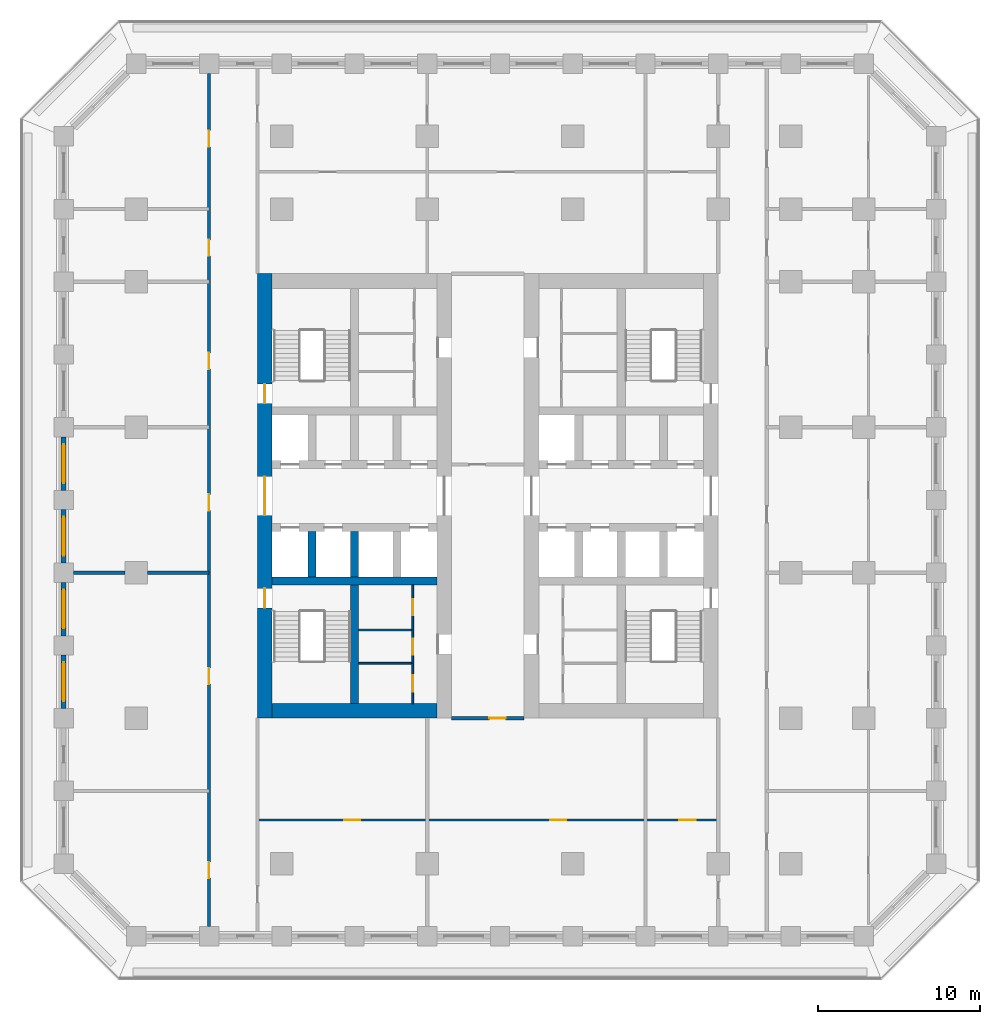
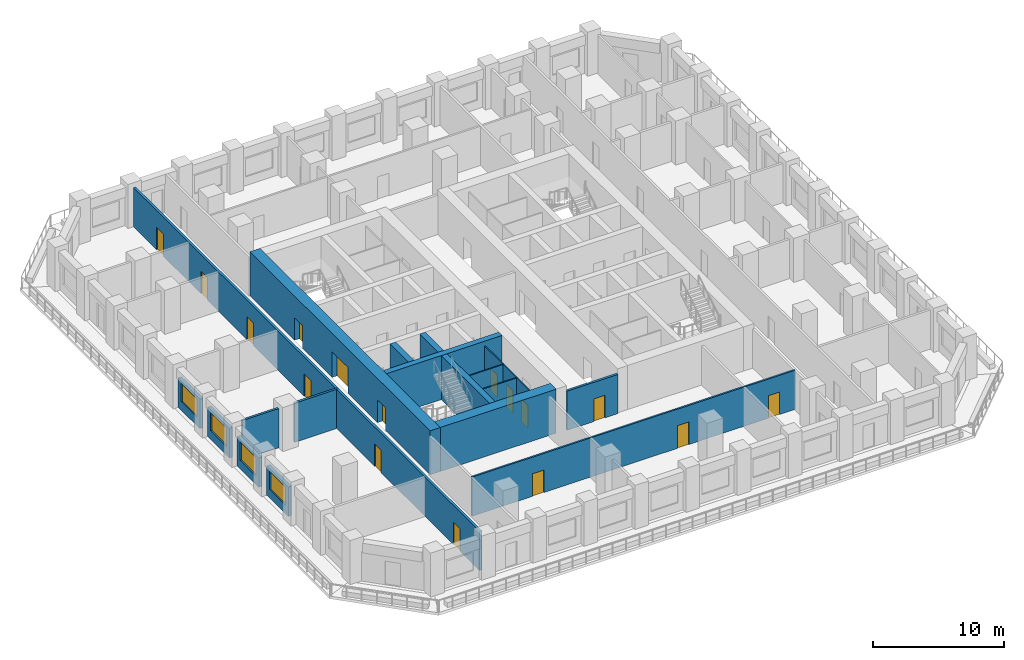
# One storey, part 3 of 17: 20 walls, 16 doors, 4 windows, 20 openings.
"""IFC4 building model written with IfcOpenShell, lengths in metres."""

import ifcopenshell
import ifcopenshell.guid

model = None  # the IFC model being written
_history = None  # IfcOwnerHistory: only IFC2X3 demands one
_inside = {}  # id of a spatial element -> (the spatial element, [elements in it])
_under = {}  # id of a project, library or spatial element -> (it, [spatial elements below it])
_declared = {}  # id of a project -> (the project, [libraries it declares])
_typed = {}  # id of a type object -> (the type object, [elements of that type])
_made_of = {}  # id of a material, layer set ... -> (it, [elements and type objects made of it])


def new_model(schema):
    """Start an empty IFC model of exactly this schema.

    Asked for "IFC4X3", IfcOpenShell would pick the latest addendum, in which some entities
    have other attributes; the version numbers below select the first issue.
    IFC2X3 requires an IfcOwnerHistory on every rooted entity: one is made here for all.
    """
    global model, _history
    if schema == "IFC4X3":
        model = ifcopenshell.file(schema_version=(4, 3, 0, 0))
    else:
        model = ifcopenshell.file(schema=schema)
    _inside.clear()
    _under.clear()
    _declared.clear()
    _typed.clear()
    _made_of.clear()
    _history = None
    if model.schema == "IFC2X3":
        org = make("IfcOrganization", Name="unknown")
        user = make(
            "IfcPersonAndOrganization",
            ThePerson=make("IfcPerson", FamilyName="unknown"),
            TheOrganization=org,
        )
        app = make(
            "IfcApplication",
            ApplicationDeveloper=org,
            Version="unknown",
            ApplicationFullName="unknown",
            ApplicationIdentifier="unknown",
        )
        _history = make(
            "IfcOwnerHistory",
            OwningUser=user,
            OwningApplication=app,
            ChangeAction="ADDED",
            CreationDate=0,
        )
    return model


def make(cls, **values):
    """One entity of the class cls with the attributes given. An attribute that is None is left unset."""
    return model.create_entity(
        cls, **{name: value for name, value in values.items() if value is not None}
    )


def rooted(cls, **values):
    """An entity with a GlobalId (a new one), such as an element, a storey or a relation."""
    return make(cls, GlobalId=ifcopenshell.guid.new(), OwnerHistory=_history, **values)


def si_unit(unit_type, name, prefix=None):
    """IfcSIUnit, for example si_unit("LENGTHUNIT", "METRE", prefix="MILLI")."""
    return make("IfcSIUnit", UnitType=unit_type, Prefix=prefix, Name=name)


def assignment(units):
    """IfcUnitAssignment: the units of a project."""
    return None if units is None else make("IfcUnitAssignment", Units=units)


def point(xyz):
    """IfcCartesianPoint."""
    return None if xyz is None else make("IfcCartesianPoint", Coordinates=xyz)


def direction(xyz):
    """IfcDirection."""
    return None if xyz is None else make("IfcDirection", DirectionRatios=xyz)


def frame(location, z_axis=None, x_axis=None):
    """IfcAxis2Placement3D, a coordinate frame: its origin and axes. An axis left out is left unset."""
    return make(
        "IfcAxis2Placement3D",
        Location=point(location),
        Axis=direction(z_axis),
        RefDirection=direction(x_axis),
    )


def frame_2d(location, x_axis=None):
    """IfcAxis2Placement2D, a coordinate frame in the plane: its origin and x axis."""
    return make(
        "IfcAxis2Placement2D", Location=point(location), RefDirection=direction(x_axis)
    )


def origin():
    """The frame at (0, 0, 0) with its axes left unset."""
    return frame((0.0, 0.0, 0.0))


def place(relative_to, where):
    """IfcLocalPlacement: puts the frame where relative to a parent placement (None: the world)."""
    return make(
        "IfcLocalPlacement", PlacementRelTo=relative_to, RelativePlacement=where
    )


def context(
    kind, dimensions, precision=None, world=None, true_north=None, identifier=None
):
    """IfcGeometricRepresentationContext, for example the 3D "Model" context."""
    return make(
        "IfcGeometricRepresentationContext",
        ContextIdentifier=identifier,
        ContextType=kind,
        CoordinateSpaceDimension=dimensions,
        Precision=precision,
        WorldCoordinateSystem=world,
        TrueNorth=true_north,
    )


def subcontext(parent, identifier, kind, view, scale=None):
    """IfcGeometricRepresentationSubContext, for example "Body" below "Model"."""
    return make(
        "IfcGeometricRepresentationSubContext",
        ContextIdentifier=identifier,
        ContextType=kind,
        ParentContext=parent,
        TargetScale=scale,
        TargetView=view,
    )


def project(units=None, contexts=None):
    """IfcProject with its units and contexts."""
    return rooted(
        "IfcProject",
        Name="project",
        RepresentationContexts=contexts,
        UnitsInContext=assignment(units),
    )


def spatial(cls, under=None, at=None, **own):
    """A site, building, storey or space (cls), placed at a placement, below another one or the project."""
    s = rooted(cls, ObjectPlacement=at, **own)
    if under is not None:
        _under.setdefault(under.id(), (under, []))[1].append(s)
    return s


def profile(cls, at=None, kind="AREA", **sizes):
    """A parametric profile (cls). Its sizes go by their IFC names, for example OverallWidth=200.0."""
    return make(cls, ProfileType=kind, Position=at, **sizes)


def rectangle(**sizes):
    """IfcRectangleProfileDef."""
    return profile("IfcRectangleProfileDef", **sizes)


def extrude(swept, where, along, depth):
    """IfcExtrudedAreaSolid: the profile swept, set in the frame where, extruded along a direction by depth."""
    return make(
        "IfcExtrudedAreaSolid",
        SweptArea=swept,
        Position=where,
        ExtrudedDirection=direction(along),
        Depth=depth,
    )


def shape(context_of_items, identifier, shape_type, items):
    """IfcShapeRepresentation: the items that make up one representation, for example the "Body"."""
    return make(
        "IfcShapeRepresentation",
        ContextOfItems=context_of_items,
        RepresentationIdentifier=identifier,
        RepresentationType=shape_type,
        Items=items,
    )


def material(Name=None, Category=None):
    """IfcMaterial."""
    return make("IfcMaterial", Name=Name, Category=Category)


def layer(
    of_material, thickness, ventilated=None, Name=None, Category=None, Priority=None
):
    """IfcMaterialLayer: one layer of a wall or slab, of a material (None: an air gap)."""
    return make(
        "IfcMaterialLayer",
        Material=of_material,
        LayerThickness=thickness,
        IsVentilated=ventilated,
        Name=Name,
        Category=Category,
        Priority=Priority,
    )


def layer_set(layers, Name=None):
    """IfcMaterialLayerSet."""
    return make("IfcMaterialLayerSet", MaterialLayers=layers, LayerSetName=Name)


def made_of(thing, what):
    """Note that an element or type object is made of a material, layer set ...; save() writes the relation."""
    if what is not None:
        _made_of.setdefault(what.id(), (what, []))[1].append(thing)
    return thing


def type_object(cls, material=None, **own):
    """A type object (cls), such as IfcWallType, which elements share."""
    return made_of(rooted(cls, **own), material)


def element(
    cls,
    number,
    at=None,
    inside=None,
    cuts=None,
    type_object=None,
    material=None,
    context=None,
    identifier="Body",
    shape_type=None,
    held_by="IfcProductDefinitionShape",
    body=None,
    shapes=None,
    **own,
):
    """One element of the class cls, such as IfcWall. Its Tag is "e" and its number.

    at: its placement. inside: the storey or other place that contains it. cuts: it is an
    opening in that element (IfcRelVoidsElement). A single representation is given by context,
    identifier, shape_type and body (its items); several are given by shapes. held_by: the class
    of the entity that holds the representations. save() writes the other relations.
    """
    e = rooted(cls, Tag="e%d" % number, ObjectPlacement=at, **own)
    if body is not None:
        shapes = [shape(context, identifier, shape_type, body)]
    if shapes is not None:
        e.Representation = make(held_by, Representations=shapes)
    if inside is not None:
        _inside.setdefault(inside.id(), (inside, []))[1].append(e)
    if cuts is not None:
        rooted(
            "IfcRelVoidsElement", RelatingBuildingElement=cuts, RelatedOpeningElement=e
        )
    if type_object is not None:
        _typed.setdefault(type_object.id(), (type_object, []))[1].append(e)
    return made_of(e, material)


def fill(opening, filler):
    """IfcRelFillsElement: the door or window that sits in an opening."""
    return rooted(
        "IfcRelFillsElement",
        RelatingOpeningElement=opening,
        RelatedBuildingElement=filler,
    )


def aggregate(whole, parts):
    """IfcRelAggregates: a whole, such as a stair, and the parts it consists of."""
    return rooted("IfcRelAggregates", RelatingObject=whole, RelatedObjects=parts)


def save(model, path):
    """Write the relations noted so far, then the file.

    IfcRelAggregates (storeys below a building ...), IfcRelContainedInSpatialStructure (elements
    in a storey), IfcRelDefinesByType, IfcRelAssociatesMaterial and IfcRelDeclares: one each for
    every whole, place, type object, material and project.
    """
    for whole, parts in _under.values():
        aggregate(whole, parts)
    for where, things in _inside.values():
        rooted(
            "IfcRelContainedInSpatialStructure",
            RelatedElements=things,
            RelatingStructure=where,
        )
    for kind, things in _typed.values():
        rooted("IfcRelDefinesByType", RelatedObjects=things, RelatingType=kind)
    for what, things in _made_of.values():
        rooted("IfcRelAssociatesMaterial", RelatedObjects=things, RelatingMaterial=what)
    for by, libraries in _declared.values():
        rooted("IfcRelDeclares", RelatingContext=by, RelatedDefinitions=libraries)
    model.write(path)


model = new_model("IFC4")

# Units and contexts
model_context = context("Model", 3, precision=1e-05, world=origin(), true_north=direction((0.0, 1.0)))
body_context = subcontext(model_context, "Body", "Model", "MODEL_VIEW")
ifc_project = project(units=[si_unit("LENGTHUNIT", "METRE"), si_unit("AREAUNIT", "SQUARE_METRE"), si_unit("VOLUMEUNIT", "CUBIC_METRE"), si_unit("PLANEANGLEUNIT", "RADIAN"), si_unit("MASSUNIT", "GRAM", prefix="KILO")], contexts=[model_context])

# Site, building, storey
site_placement = place(None, origin())
site = spatial("IfcSite", under=ifc_project, at=site_placement, CompositionType="ELEMENT")
building_placement = place(site_placement, origin())
building = spatial("IfcBuilding", under=site, at=building_placement, Name="Corbel Stack Research Tower", CompositionType="ELEMENT")
storey_placement = place(building_placement, frame((0.0, 0.0, 86.10009765625)))
storey = spatial("IfcBuildingStorey", under=building, at=storey_placement, Name="L19", CompositionType="ELEMENT", Elevation=86.10009765625)

# Walls
ifc_material_1 = material(Name="Concrete C70/85", Category="concrete")
ifc_layer_1 = layer(ifc_material_1, 0.5)
ifc_layer_set_1 = layer_set([ifc_layer_1], Name="Concrete C70/85")
wall_type_1 = type_object("IfcWallType", Name="CW-500-70", PredefinedType="SHEAR", material=ifc_layer_set_1)
wall_1_placement = place(storey_placement, frame((-9.60009765625, -0.5, 0.0), z_axis=(0.0, 0.0, 1.0), x_axis=(1.0, 0.0, 0.0)))
element("IfcWall", 1, at=wall_1_placement, inside=storey, type_object=wall_type_1, Name="West core wall, south row back L19", PredefinedType="SHEAR", context=body_context, shape_type="SweptSolid", body=[
    extrude(rectangle(XDim=10.2001953125, YDim=0.5, at=frame_2d((5.10009765625, 0.0))), origin(), (0.0, 0.0, 1.0), 4.099853515625),
])
for number, where, z_axis, x_axis, name in (
    (2, (-7.125, -0.25, 0.0), (0.0, 0.0, 1.0), (0.0, 1.0, 0.0), "West core wall, south shaft 1 L19"),
    (3, (-4.5, -0.25, 0.0), (0.0, 0.0, 1.0), (0.0, 1.0, 0.0), "West core wall, south shaft 2 L19"),
):
    element("IfcWall", number, at=place(storey_placement, frame(where, z_axis=z_axis, x_axis=x_axis)), inside=storey, type_object=wall_type_1, Name=name, PredefinedType="SHEAR", context=body_context, shape_type="SweptSolid", body=[
        extrude(rectangle(XDim=2.800048828125, YDim=0.5, at=frame_2d((1.39990234375, 0.0))), origin(), (0.0, 0.0, 1.0), 4.099853515625),
    ])
wall_2_placement = place(storey_placement, frame((-4.5, -8.10009765625, 0.0), z_axis=(0.0, 0.0, 1.0), x_axis=(0.0, 1.0, 0.0)))
element("IfcWall", 4, at=wall_2_placement, inside=storey, type_object=wall_type_1, Name="West core wall, south stair and WC L19", PredefinedType="SHEAR", context=body_context, shape_type="SweptSolid", body=[
    extrude(rectangle(XDim=7.35009765625, YDim=0.5, at=frame_2d((3.675048828125, 0.0))), origin(), (0.0, 0.0, 1.0), 4.099853515625),
])

# Wall, openings, doors
ifc_material_2 = material(Name="Concrete C70/85", Category="concrete")
ifc_layer_2 = layer(ifc_material_2, 0.89990234375)
ifc_layer_set_2 = layer_set([ifc_layer_2], Name="Concrete C70/85")
wall_type_2 = type_object("IfcWallType", Name="CW-900-70", PredefinedType="SHEAR", material=ifc_layer_set_2)
wall_3_placement = place(storey_placement, frame((-10.050048828125, -9.0, 0.0), z_axis=(0.0, 0.0, 1.0), x_axis=(0.0, 1.0, 0.0)))
wall_3 = element("IfcWall", 5, at=wall_3_placement, inside=storey, type_object=wall_type_2, Name="West core wall, west face L19", PredefinedType="SHEAR", context=body_context, shape_type="SweptSolid", body=[
    extrude(rectangle(XDim=27.5, YDim=0.89990234375, at=frame_2d((13.75, 0.0))), origin(), (0.0, 0.0, 1.0), 4.099853515625),
])
opening_1_placement = place(wall_3_placement, frame((12.550048828125, 0.0, 0.0)))
opening_1 = element("IfcOpeningElement", 6, at=opening_1_placement, cuts=wall_3, Name="Opening CD-W-W", PredefinedType="OPENING", context=body_context, shape_type="SweptSolid", body=[
    extrude(rectangle(XDim=2.39990234375, YDim=2.39990234375, at=frame_2d((1.199951171875, 1.199951171875))), frame((0.0, 0.4599609375, 0.0), z_axis=(0.0, -1.0, 0.0), x_axis=(1.0, 0.0, 0.0)), (0.0, 0.0, 1.0), 0.919921875),
])
opening_2_placement = place(wall_3_placement, frame((6.824951171875, 0.0, 0.0)))
opening_2 = element("IfcOpeningElement", 7, at=opening_2_placement, cuts=wall_3, Name="Opening SD-ST-W1", PredefinedType="OPENING", context=body_context, shape_type="SweptSolid", body=[
    extrude(rectangle(XDim=1.199951171875, YDim=2.10009765625, at=frame_2d((0.60009765625, 1.050048828125))), frame((0.0, 0.4599609375, 0.0), z_axis=(0.0, -1.0, 0.0), x_axis=(1.0, 0.0, 0.0)), (0.0, 0.0, 1.0), 0.919921875),
])
opening_3_placement = place(wall_3_placement, frame((19.47509765625, 0.0, 0.0)))
opening_3 = element("IfcOpeningElement", 8, at=opening_3_placement, cuts=wall_3, Name="Opening SD-ST-W2", PredefinedType="OPENING", context=body_context, shape_type="SweptSolid", body=[
    extrude(rectangle(XDim=1.199951171875, YDim=2.10009765625, at=frame_2d((0.60009765625, 1.050048828125))), frame((0.0, 0.4599609375, 0.0), z_axis=(0.0, -1.0, 0.0), x_axis=(1.0, 0.0, 0.0)), (0.0, 0.0, 1.0), 0.919921875),
])
ifc_material_3 = material(Name="Painted steel fire door", Category="steel")
door_type_1 = type_object("IfcDoorType", Name="Lobby door pair 2400 x 2400 FD30S", OperationType="DOUBLE_DOOR_DOUBLE_SWING", PredefinedType="DOOR", material=ifc_material_3)
door_1_placement = place(opening_1_placement, origin())
door_1 = element("IfcDoor", 9, at=door_1_placement, inside=storey, type_object=door_type_1, Name="Lift lobby door W core W", OperationType="DOUBLE_DOOR_DOUBLE_SWING", OverallHeight=2.39990234375, OverallWidth=2.39990234375, PredefinedType="DOOR", context=body_context, shape_type="SweptSolid", body=[
    extrude(rectangle(XDim=2.39990234375, YDim=2.39990234375, at=frame_2d((1.199951171875, 1.199951171875))), frame((0.0, 0.02490234375, 0.0), z_axis=(0.0, -1.0, 0.0), x_axis=(1.0, 0.0, 0.0)), (0.0, 0.0, 1.0), 0.050048828125),
])
fill(opening_1, door_1)
ifc_material_4 = material(Name="Painted steel fire door", Category="steel")
door_type_2 = type_object("IfcDoorType", Name="Stair door 1200 x 2100 FD90 left hand", OperationType="SINGLE_SWING_LEFT", PredefinedType="DOOR", material=ifc_material_4)
door_2_placement = place(opening_2_placement, origin())
door_2 = element("IfcDoor", 10, at=door_2_placement, inside=storey, type_object=door_type_2, Name="Stair door ST-W1", OperationType="SINGLE_SWING_LEFT", OverallHeight=2.10009765625, OverallWidth=1.199951171875, PredefinedType="DOOR", context=body_context, shape_type="SweptSolid", body=[
    extrude(rectangle(XDim=1.199951171875, YDim=2.10009765625, at=frame_2d((0.60009765625, 1.050048828125))), frame((0.0, 0.02490234375, 0.0), z_axis=(0.0, -1.0, 0.0), x_axis=(1.0, 0.0, 0.0)), (0.0, 0.0, 1.0), 0.050048828125),
])
fill(opening_2, door_2)
door_3_placement = place(opening_3_placement, origin())
door_3 = element("IfcDoor", 11, at=door_3_placement, inside=storey, type_object=door_type_2, Name="Stair door ST-W2", OperationType="SINGLE_SWING_LEFT", OverallHeight=2.10009765625, OverallWidth=1.199951171875, PredefinedType="DOOR", context=body_context, shape_type="SweptSolid", body=[
    extrude(rectangle(XDim=1.199951171875, YDim=2.10009765625, at=frame_2d((0.60009765625, 1.050048828125))), frame((0.0, 0.02490234375, 0.0), z_axis=(0.0, -1.0, 0.0), x_axis=(1.0, 0.0, 0.0)), (0.0, 0.0, 1.0), 0.050048828125),
])
fill(opening_3, door_3)

# Wall
wall_4_placement = place(storey_placement, frame((-9.60009765625, -8.550048828125, 0.0), z_axis=(0.0, 0.0, 1.0), x_axis=(1.0, 0.0, 0.0)))
element("IfcWall", 12, at=wall_4_placement, inside=storey, type_object=wall_type_2, Name="West core wall, south end L19", PredefinedType="SHEAR", context=body_context, shape_type="SweptSolid", body=[
    extrude(rectangle(XDim=10.2001953125, YDim=0.89990234375, at=frame_2d((5.10009765625, 0.0))), origin(), (0.0, 0.0, 1.0), 4.099853515625),
])

# Wall, opening, door
ifc_material_5 = material(Name="Gypsum board")
ifc_layer_3 = layer(ifc_material_5, 0.10009765625)
ifc_layer_set_3 = layer_set([ifc_layer_3], Name="Gypsum board")
wall_type_3 = type_object("IfcWallType", Name="Core partition 100", PredefinedType="PARTITIONING", material=ifc_layer_set_3)
wall_5_placement = place(storey_placement, frame((-0.89990234375, -8.10009765625, 0.0), z_axis=(0.0, 0.0, 1.0), x_axis=(0.0, 1.0, 0.0)))
wall_5 = element("IfcWall", 13, at=wall_5_placement, inside=storey, type_object=wall_type_3, Name="Core partition W", PredefinedType="PARTITIONING", context=body_context, shape_type="SweptSolid", body=[
    extrude(rectangle(XDim=2.4990234375, YDim=0.10009765625, at=frame_2d((1.24951171875, 0.0))), origin(), (0.0, 0.0, 1.0), 3.64990234375),
])
opening_4_placement = place(wall_5_placement, frame((0.74951171875, 0.0, 0.0)))
opening_4 = element("IfcOpeningElement", 14, at=opening_4_placement, cuts=wall_5, Name="Opening CR-W12-W2-1000", PredefinedType="OPENING", context=body_context, shape_type="SweptSolid", body=[
    extrude(rectangle(XDim=1.0, YDim=2.10009765625, at=frame_2d((0.5, 1.050048828125))), frame((0.0, 0.06005859375, 0.0), z_axis=(0.0, -1.0, 0.0), x_axis=(1.0, 0.0, 0.0)), (0.0, 0.0, 1.0), 0.1201171875),
])
ifc_material_6 = material(Name="Painted timber door", Category="wood")
door_type_3 = type_object("IfcDoorType", Name="WC door 1000 x 2100 right hand", OperationType="SINGLE_SWING_RIGHT", PredefinedType="DOOR", material=ifc_material_6)
door_4_placement = place(opening_4_placement, origin())
door_4 = element("IfcDoor", 15, at=door_4_placement, inside=storey, type_object=door_type_3, Name="Men's WC door W core", OperationType="SINGLE_SWING_RIGHT", OverallHeight=2.10009765625, OverallWidth=1.0, PredefinedType="DOOR", context=body_context, shape_type="SweptSolid", body=[
    extrude(rectangle(XDim=1.0, YDim=2.10009765625, at=frame_2d((0.5, 1.050048828125))), frame((0.0, 0.02490234375, 0.0), z_axis=(0.0, -1.0, 0.0), x_axis=(1.0, 0.0, 0.0)), (0.0, 0.0, 1.0), 0.050048828125),
])
fill(opening_4, door_4)

wall_6_placement = place(storey_placement, frame((-0.89990234375, -5.60107421875, 0.0), z_axis=(0.0, 0.0, 1.0), x_axis=(0.0, 1.0, 0.0)))
wall_6 = element("IfcWall", 16, at=wall_6_placement, inside=storey, type_object=wall_type_3, Name="Core partition W", PredefinedType="PARTITIONING", context=body_context, shape_type="SweptSolid", body=[
    extrude(rectangle(XDim=2.05810546875, YDim=0.10009765625, at=frame_2d((1.029052734375, 0.0))), origin(), (0.0, 0.0, 1.0), 3.64990234375),
])
opening_5_placement = place(wall_6_placement, frame((0.529052734375, 0.0, 0.0)))
opening_5 = element("IfcOpeningElement", 17, at=opening_5_placement, cuts=wall_6, Name="Opening CR-W12-W3-1000", PredefinedType="OPENING", context=body_context, shape_type="SweptSolid", body=[
    extrude(rectangle(XDim=1.0, YDim=2.10009765625, at=frame_2d((0.5, 1.050048828125))), frame((0.0, 0.06005859375, 0.0), z_axis=(0.0, -1.0, 0.0), x_axis=(1.0, 0.0, 0.0)), (0.0, 0.0, 1.0), 0.1201171875),
])
ifc_material_7 = material(Name="Painted timber door", Category="wood")
door_type_4 = type_object("IfcDoorType", Name="WC door 1000 x 2100 left hand", OperationType="SINGLE_SWING_LEFT", PredefinedType="DOOR", material=ifc_material_7)
door_5_placement = place(opening_5_placement, origin())
door_5 = element("IfcDoor", 18, at=door_5_placement, inside=storey, type_object=door_type_4, Name="Accessible WC door W core", OperationType="SINGLE_SWING_LEFT", OverallHeight=2.10009765625, OverallWidth=1.0, PredefinedType="DOOR", context=body_context, shape_type="SweptSolid", body=[
    extrude(rectangle(XDim=1.0, YDim=2.10009765625, at=frame_2d((0.5, 1.050048828125))), frame((0.0, 0.02490234375, 0.0), z_axis=(0.0, -1.0, 0.0), x_axis=(1.0, 0.0, 0.0)), (0.0, 0.0, 1.0), 0.050048828125),
])
fill(opening_5, door_5)

wall_7_placement = place(storey_placement, frame((-0.89990234375, -3.54296875, 0.0), z_axis=(0.0, 0.0, 1.0), x_axis=(0.0, 1.0, 0.0)))
wall_7 = element("IfcWall", 19, at=wall_7_placement, inside=storey, type_object=wall_type_3, Name="Core partition W", PredefinedType="PARTITIONING", context=body_context, shape_type="SweptSolid", body=[
    extrude(rectangle(XDim=2.79296875, YDim=0.10009765625, at=frame_2d((1.396484375, 0.0))), origin(), (0.0, 0.0, 1.0), 3.64990234375),
])
opening_6_placement = place(wall_7_placement, frame((0.896484375, 0.0, 0.0)))
opening_6 = element("IfcOpeningElement", 20, at=opening_6_placement, cuts=wall_7, Name="Opening CR-W12-W4-1000", PredefinedType="OPENING", context=body_context, shape_type="SweptSolid", body=[
    extrude(rectangle(XDim=1.0, YDim=2.10009765625, at=frame_2d((0.5, 1.050048828125))), frame((0.0, 0.06005859375, 0.0), z_axis=(0.0, -1.0, 0.0), x_axis=(1.0, 0.0, 0.0)), (0.0, 0.0, 1.0), 0.1201171875),
])
door_6_placement = place(opening_6_placement, origin())
door_6 = element("IfcDoor", 21, at=door_6_placement, inside=storey, type_object=door_type_3, Name="Women's WC door W core", OperationType="SINGLE_SWING_RIGHT", OverallHeight=2.10009765625, OverallWidth=1.0, PredefinedType="DOOR", context=body_context, shape_type="SweptSolid", body=[
    extrude(rectangle(XDim=1.0, YDim=2.10009765625, at=frame_2d((0.5, 1.050048828125))), frame((0.0, 0.02490234375, 0.0), z_axis=(0.0, -1.0, 0.0), x_axis=(1.0, 0.0, 0.0)), (0.0, 0.0, 1.0), 0.050048828125),
])
fill(opening_6, door_6)

# Walls
for number, where, z_axis, x_axis, name in (
    (22, (-4.25, -5.60107421875, 0.0), (0.0, 0.0, 1.0), (1.0, 0.0, 0.0), "Core partition W"),
    (23, (-4.25, -3.54296875, 0.0), (0.0, 0.0, 1.0), (1.0, 0.0, 0.0), "Core partition W"),
):
    element("IfcWall", number, at=place(storey_placement, frame(where, z_axis=z_axis, x_axis=x_axis)), inside=storey, type_object=wall_type_3, Name=name, PredefinedType="PARTITIONING", context=body_context, shape_type="SweptSolid", body=[
        extrude(rectangle(XDim=3.35009765625, YDim=0.10009765625, at=frame_2d((1.675048828125, 0.0))), origin(), (0.0, 0.0, 1.0), 3.64990234375),
    ])

# Wall, openings, doors
ifc_material_8 = material(Name="Fire-rated gypsum board partition on steel studs", Category="steel")
ifc_layer_4 = layer(ifc_material_8, 0.199951171875)
ifc_layer_set_4 = layer_set([ifc_layer_4], Name="Fire-rated gypsum board partition on steel studs")
wall_type_4 = type_object("IfcWallType", Name="Fire-rated partition 200 EI 60", PredefinedType="PARTITIONING", material=ifc_layer_set_4)
wall_8_placement = place(storey_placement, frame((-13.5, -21.89990234375, 0.0), z_axis=(0.0, 0.0, 1.0), x_axis=(0.0, 1.0, 0.0)))
wall_8 = element("IfcWall", 24, at=wall_8_placement, inside=storey, type_object=wall_type_4, Name="Partition L19-001", PredefinedType="PARTITIONING", context=body_context, shape_type="SweptSolid", body=[
    extrude(rectangle(XDim=52.7998046875, YDim=0.199951171875, at=frame_2d((26.39990234375, 0.0))), origin(), (0.0, 0.0, 1.0), 3.64990234375),
])
opening_7_placement = place(wall_8_placement, frame((3.0, 0.0, 0.0)))
opening_7 = element("IfcOpeningElement", 25, at=opening_7_placement, cuts=wall_8, Name="Opening B3V1-004", PredefinedType="OPENING", context=body_context, shape_type="SweptSolid", body=[
    extrude(rectangle(XDim=1.0, YDim=2.10009765625, at=frame_2d((0.5, 1.050048828125))), frame((0.0, 0.10986328125, 0.0), z_axis=(0.0, -1.0, 0.0), x_axis=(1.0, 0.0, 0.0)), (0.0, 0.0, 1.0), 0.219970703125),
])
opening_8_placement = place(wall_8_placement, frame((15.0, 0.0, 0.0)))
opening_8 = element("IfcOpeningElement", 26, at=opening_8_placement, cuts=wall_8, Name="Opening B3V1-005", PredefinedType="OPENING", context=body_context, shape_type="SweptSolid", body=[
    extrude(rectangle(XDim=1.0, YDim=2.10009765625, at=frame_2d((0.5, 1.050048828125))), frame((0.0, 0.10986328125, 0.0), z_axis=(0.0, -1.0, 0.0), x_axis=(1.0, 0.0, 0.0)), (0.0, 0.0, 1.0), 0.219970703125),
])
opening_9_placement = place(wall_8_placement, frame((25.75, 0.0, 0.0)))
opening_9 = element("IfcOpeningElement", 27, at=opening_9_placement, cuts=wall_8, Name="Opening B3V1-006", PredefinedType="OPENING", context=body_context, shape_type="SweptSolid", body=[
    extrude(rectangle(XDim=1.0, YDim=2.10009765625, at=frame_2d((0.5, 1.050048828125))), frame((0.0, 0.10986328125, 0.0), z_axis=(0.0, -1.0, 0.0), x_axis=(1.0, 0.0, 0.0)), (0.0, 0.0, 1.0), 0.219970703125),
])
opening_10_placement = place(wall_8_placement, frame((34.5, 0.0, 0.0)))
opening_10 = element("IfcOpeningElement", 28, at=opening_10_placement, cuts=wall_8, Name="Opening B3V1-007", PredefinedType="OPENING", context=body_context, shape_type="SweptSolid", body=[
    extrude(rectangle(XDim=1.0, YDim=2.10009765625, at=frame_2d((0.5, 1.050048828125))), frame((0.0, 0.10986328125, 0.0), z_axis=(0.0, -1.0, 0.0), x_axis=(1.0, 0.0, 0.0)), (0.0, 0.0, 1.0), 0.219970703125),
])
opening_11_placement = place(wall_8_placement, frame((41.5, 0.0, 0.0)))
opening_11 = element("IfcOpeningElement", 29, at=opening_11_placement, cuts=wall_8, Name="Opening B3V1-008", PredefinedType="OPENING", context=body_context, shape_type="SweptSolid", body=[
    extrude(rectangle(XDim=1.0, YDim=2.10009765625, at=frame_2d((0.5, 1.050048828125))), frame((0.0, 0.10986328125, 0.0), z_axis=(0.0, -1.0, 0.0), x_axis=(1.0, 0.0, 0.0)), (0.0, 0.0, 1.0), 0.219970703125),
])
opening_12_placement = place(wall_8_placement, frame((48.25, 0.0, 0.0)))
opening_12 = element("IfcOpeningElement", 30, at=opening_12_placement, cuts=wall_8, Name="Opening B3V1-009", PredefinedType="OPENING", context=body_context, shape_type="SweptSolid", body=[
    extrude(rectangle(XDim=1.0, YDim=2.10009765625, at=frame_2d((0.5, 1.050048828125))), frame((0.0, 0.10986328125, 0.0), z_axis=(0.0, -1.0, 0.0), x_axis=(1.0, 0.0, 0.0)), (0.0, 0.0, 1.0), 0.219970703125),
])
ifc_material_9 = material(Name="Painted steel fire door", Category="steel")
door_type_5 = type_object("IfcDoorType", Name="Fire door FD30S 1000 x 2100", OperationType="NOTDEFINED", PredefinedType="DOOR", material=ifc_material_9)
door_7_placement = place(opening_7_placement, origin())
door_7 = element("IfcDoor", 31, at=door_7_placement, inside=storey, type_object=door_type_5, Name="Door B3V1-004", OperationType="SINGLE_SWING_LEFT", OverallHeight=2.10009765625, OverallWidth=1.0, PredefinedType="DOOR", context=body_context, shape_type="SweptSolid", body=[
    extrude(rectangle(XDim=1.0, YDim=2.10009765625, at=frame_2d((0.5, 1.050048828125))), frame((0.0, 0.02490234375, 0.0), z_axis=(0.0, -1.0, 0.0), x_axis=(1.0, 0.0, 0.0)), (0.0, 0.0, 1.0), 0.050048828125),
])
fill(opening_7, door_7)
door_8_placement = place(opening_8_placement, origin())
door_8 = element("IfcDoor", 32, at=door_8_placement, inside=storey, type_object=door_type_5, Name="Door B3V1-005", OperationType="SINGLE_SWING_LEFT", OverallHeight=2.10009765625, OverallWidth=1.0, PredefinedType="DOOR", context=body_context, shape_type="SweptSolid", body=[
    extrude(rectangle(XDim=1.0, YDim=2.10009765625, at=frame_2d((0.5, 1.050048828125))), frame((0.0, 0.02490234375, 0.0), z_axis=(0.0, -1.0, 0.0), x_axis=(1.0, 0.0, 0.0)), (0.0, 0.0, 1.0), 0.050048828125),
])
fill(opening_8, door_8)
door_9_placement = place(opening_9_placement, origin())
door_9 = element("IfcDoor", 33, at=door_9_placement, inside=storey, type_object=door_type_5, Name="Door B3V1-006", OperationType="SINGLE_SWING_LEFT", OverallHeight=2.10009765625, OverallWidth=1.0, PredefinedType="DOOR", context=body_context, shape_type="SweptSolid", body=[
    extrude(rectangle(XDim=1.0, YDim=2.10009765625, at=frame_2d((0.5, 1.050048828125))), frame((0.0, 0.02490234375, 0.0), z_axis=(0.0, -1.0, 0.0), x_axis=(1.0, 0.0, 0.0)), (0.0, 0.0, 1.0), 0.050048828125),
])
fill(opening_9, door_9)
door_10_placement = place(opening_10_placement, origin())
door_10 = element("IfcDoor", 34, at=door_10_placement, inside=storey, type_object=door_type_5, Name="Door B3V1-007", OperationType="SINGLE_SWING_RIGHT", OverallHeight=2.10009765625, OverallWidth=1.0, PredefinedType="DOOR", context=body_context, shape_type="SweptSolid", body=[
    extrude(rectangle(XDim=1.0, YDim=2.10009765625, at=frame_2d((0.5, 1.050048828125))), frame((0.0, 0.02490234375, 0.0), z_axis=(0.0, -1.0, 0.0), x_axis=(1.0, 0.0, 0.0)), (0.0, 0.0, 1.0), 0.050048828125),
])
fill(opening_10, door_10)
door_11_placement = place(opening_11_placement, origin())
door_11 = element("IfcDoor", 35, at=door_11_placement, inside=storey, type_object=door_type_5, Name="Door B3V1-008", OperationType="SINGLE_SWING_RIGHT", OverallHeight=2.10009765625, OverallWidth=1.0, PredefinedType="DOOR", context=body_context, shape_type="SweptSolid", body=[
    extrude(rectangle(XDim=1.0, YDim=2.10009765625, at=frame_2d((0.5, 1.050048828125))), frame((0.0, 0.02490234375, 0.0), z_axis=(0.0, -1.0, 0.0), x_axis=(1.0, 0.0, 0.0)), (0.0, 0.0, 1.0), 0.050048828125),
])
fill(opening_11, door_11)
door_12_placement = place(opening_12_placement, origin())
door_12 = element("IfcDoor", 36, at=door_12_placement, inside=storey, type_object=door_type_5, Name="Door B3V1-009", OperationType="SINGLE_SWING_RIGHT", OverallHeight=2.10009765625, OverallWidth=1.0, PredefinedType="DOOR", context=body_context, shape_type="SweptSolid", body=[
    extrude(rectangle(XDim=1.0, YDim=2.10009765625, at=frame_2d((0.5, 1.050048828125))), frame((0.0, 0.02490234375, 0.0), z_axis=(0.0, -1.0, 0.0), x_axis=(1.0, 0.0, 0.0)), (0.0, 0.0, 1.0), 0.050048828125),
])
fill(opening_12, door_12)

# Wall, opening, door
wall_9_placement = place(storey_placement, frame((6.0, -9.0, 0.0), z_axis=(0.0, 0.0, 1.0), x_axis=(-1.0, 0.0, 0.0)))
wall_9 = element("IfcWall", 37, at=wall_9_placement, inside=storey, type_object=wall_type_4, Name="Partition L19-026", PredefinedType="PARTITIONING", context=body_context, shape_type="SweptSolid", body=[
    extrude(rectangle(XDim=4.5, YDim=0.199951171875, at=frame_2d((2.25, 0.0))), origin(), (0.0, 0.0, 1.0), 3.64990234375),
])
opening_13_placement = place(wall_9_placement, frame((1.14990234375, 0.0, 0.0)))
opening_13 = element("IfcOpeningElement", 38, at=opening_13_placement, cuts=wall_9, Name="Opening B3V1-012", PredefinedType="OPENING", context=body_context, shape_type="SweptSolid", body=[
    extrude(rectangle(XDim=1.0, YDim=2.10009765625, at=frame_2d((0.5, 1.050048828125))), frame((0.0, 0.10986328125, 0.0), z_axis=(0.0, -1.0, 0.0), x_axis=(1.0, 0.0, 0.0)), (0.0, 0.0, 1.0), 0.219970703125),
])
door_13_placement = place(opening_13_placement, origin())
door_13 = element("IfcDoor", 39, at=door_13_placement, inside=storey, type_object=door_type_5, Name="Door B3V1-012", OperationType="SINGLE_SWING_LEFT", OverallHeight=2.10009765625, OverallWidth=1.0, PredefinedType="DOOR", context=body_context, shape_type="SweptSolid", body=[
    extrude(rectangle(XDim=1.0, YDim=2.10009765625, at=frame_2d((0.5, 1.050048828125))), frame((0.0, 0.02490234375, 0.0), z_axis=(0.0, -1.0, 0.0), x_axis=(1.0, 0.0, 0.0)), (0.0, 0.0, 1.0), 0.050048828125),
])
fill(opening_13, door_13)

# Walls
wall_10_placement = place(storey_placement, frame((-21.89990234375, 0.0, 0.0), z_axis=(0.0, 0.0, 1.0), x_axis=(1.0, 0.0, 0.0)))
element("IfcWall", 40, at=wall_10_placement, inside=storey, type_object=wall_type_4, Name="Partition L19-027", PredefinedType="PARTITIONING", context=body_context, shape_type="SweptSolid", body=[
    extrude(rectangle(XDim=3.199951171875, YDim=0.199951171875, at=frame_2d((1.60009765625, 0.0))), origin(), (0.0, 0.0, 1.0), 3.64990234375),
])
wall_11_placement = place(storey_placement, frame((-17.300048828125, 0.0, 0.0), z_axis=(0.0, 0.0, 1.0), x_axis=(1.0, 0.0, 0.0)))
element("IfcWall", 41, at=wall_11_placement, inside=storey, type_object=wall_type_4, Name="Partition L19-028", PredefinedType="PARTITIONING", context=body_context, shape_type="SweptSolid", body=[
    extrude(rectangle(XDim=3.800048828125, YDim=0.199951171875, at=frame_2d((1.89990234375, 0.0))), origin(), (0.0, 0.0, 1.0), 3.64990234375),
])

# Wall, openings, doors
ifc_material_10 = material(Name="Gypsum board partition on steel studs", Category="steel")
ifc_layer_5 = layer(ifc_material_10, 0.14990234375)
ifc_layer_set_5 = layer_set([ifc_layer_5], Name="Gypsum board partition on steel studs")
wall_type_5 = type_object("IfcWallType", Name="Partition 150", PredefinedType="PARTITIONING", material=ifc_layer_set_5)
wall_12_placement = place(storey_placement, frame((-10.5, -15.300048828125, 0.0), z_axis=(0.0, 0.0, 1.0), x_axis=(1.0, 0.0, 0.0)))
wall_12 = element("IfcWall", 42, at=wall_12_placement, inside=storey, type_object=wall_type_5, Name="Partition L19-023", PredefinedType="PARTITIONING", context=body_context, shape_type="SweptSolid", body=[
    extrude(rectangle(XDim=28.5, YDim=0.14990234375, at=frame_2d((14.25, 0.0))), origin(), (0.0, 0.0, 1.0), 3.64990234375),
])
opening_14_placement = place(wall_12_placement, frame((5.35009765625, 0.0, 0.0)))
opening_14 = element("IfcOpeningElement", 43, at=opening_14_placement, cuts=wall_12, Name="Opening B3V1-001", PredefinedType="OPENING", context=body_context, shape_type="SweptSolid", body=[
    extrude(rectangle(XDim=1.0, YDim=2.10009765625, at=frame_2d((0.5, 1.050048828125))), frame((0.0, 0.0849609375, 0.0), z_axis=(0.0, -1.0, 0.0), x_axis=(1.0, 0.0, 0.0)), (0.0, 0.0, 1.0), 0.169921875),
])
opening_15_placement = place(wall_12_placement, frame((18.10009765625, 0.0, 0.0)))
opening_15 = element("IfcOpeningElement", 44, at=opening_15_placement, cuts=wall_12, Name="Opening B3V1-002", PredefinedType="OPENING", context=body_context, shape_type="SweptSolid", body=[
    extrude(rectangle(XDim=1.0, YDim=2.10009765625, at=frame_2d((0.5, 1.050048828125))), frame((0.0, 0.0849609375, 0.0), z_axis=(0.0, -1.0, 0.0), x_axis=(1.0, 0.0, 0.0)), (0.0, 0.0, 1.0), 0.169921875),
])
opening_16_placement = place(wall_12_placement, frame((26.10009765625, 0.0, 0.0)))
opening_16 = element("IfcOpeningElement", 45, at=opening_16_placement, cuts=wall_12, Name="Opening B3V1-003", PredefinedType="OPENING", context=body_context, shape_type="SweptSolid", body=[
    extrude(rectangle(XDim=1.0, YDim=2.10009765625, at=frame_2d((0.5, 1.050048828125))), frame((0.0, 0.0849609375, 0.0), z_axis=(0.0, -1.0, 0.0), x_axis=(1.0, 0.0, 0.0)), (0.0, 0.0, 1.0), 0.169921875),
])
ifc_material_11 = material(Name="Painted timber door", Category="wood")
door_type_6 = type_object("IfcDoorType", Name="Single door 1000 x 2100", OperationType="NOTDEFINED", PredefinedType="DOOR", material=ifc_material_11)
door_14_placement = place(opening_14_placement, origin())
door_14 = element("IfcDoor", 46, at=door_14_placement, inside=storey, type_object=door_type_6, Name="Door B3V1-001", OperationType="SINGLE_SWING_LEFT", OverallHeight=2.10009765625, OverallWidth=1.0, PredefinedType="DOOR", context=body_context, shape_type="SweptSolid", body=[
    extrude(rectangle(XDim=1.0, YDim=2.10009765625, at=frame_2d((0.5, 1.050048828125))), frame((0.0, 0.02490234375, 0.0), z_axis=(0.0, -1.0, 0.0), x_axis=(1.0, 0.0, 0.0)), (0.0, 0.0, 1.0), 0.050048828125),
])
fill(opening_14, door_14)
door_15_placement = place(opening_15_placement, origin())
door_15 = element("IfcDoor", 47, at=door_15_placement, inside=storey, type_object=door_type_6, Name="Door B3V1-002", OperationType="SINGLE_SWING_RIGHT", OverallHeight=2.10009765625, OverallWidth=1.0, PredefinedType="DOOR", context=body_context, shape_type="SweptSolid", body=[
    extrude(rectangle(XDim=1.0, YDim=2.10009765625, at=frame_2d((0.5, 1.050048828125))), frame((0.0, 0.02490234375, 0.0), z_axis=(0.0, -1.0, 0.0), x_axis=(1.0, 0.0, 0.0)), (0.0, 0.0, 1.0), 0.050048828125),
])
fill(opening_15, door_15)
door_16_placement = place(opening_16_placement, origin())
door_16 = element("IfcDoor", 48, at=door_16_placement, inside=storey, type_object=door_type_6, Name="Door B3V1-003", OperationType="SINGLE_SWING_RIGHT", OverallHeight=2.10009765625, OverallWidth=1.0, PredefinedType="DOOR", context=body_context, shape_type="SweptSolid", body=[
    extrude(rectangle(XDim=1.0, YDim=2.10009765625, at=frame_2d((0.5, 1.050048828125))), frame((0.0, 0.02490234375, 0.0), z_axis=(0.0, -1.0, 0.0), x_axis=(1.0, 0.0, 0.0)), (0.0, 0.0, 1.0), 0.050048828125),
])
fill(opening_16, door_16)

# Wall, opening, window
ifc_material_12 = material(Name="Concrete C45/55", Category="concrete")
ifc_layer_6 = layer(ifc_material_12, 0.300048828125)
ifc_layer_set_6 = layer_set([ifc_layer_6], Name="Concrete C45/55")
wall_type_6 = type_object("IfcWallType", Name="Terracotta-faced concrete wall 300", PredefinedType="SOLIDWALL", material=ifc_layer_set_6)
wall_13_placement = place(storey_placement, frame((-22.5, 5.10009765625, 0.0), z_axis=(0.0, 0.0, 1.0), x_axis=(0.0, 1.0, 0.0)))
wall_13 = element("IfcWall", 49, at=wall_13_placement, inside=storey, type_object=wall_type_6, Name="Facade wall L19 W05", PredefinedType="SOLIDWALL", context=body_context, shape_type="SweptSolid", body=[
    extrude(rectangle(XDim=3.2998046875, YDim=0.300048828125, at=frame_2d((1.64990234375, 0.0))), origin(), (0.0, 0.0, 1.0), 2.75),
])
opening_17_placement = place(wall_13_placement, frame((0.449951171875, 0.0, 0.800048828125)))
opening_17 = element("IfcOpeningElement", 50, at=opening_17_placement, cuts=wall_13, Name="Opening W1", PredefinedType="OPENING", context=body_context, shape_type="SweptSolid", body=[
    extrude(rectangle(XDim=2.39990234375, YDim=1.699951171875, at=frame_2d((1.199951171875, 0.85009765625))), frame((0.0, 0.159912109375, 0.0), z_axis=(0.0, -1.0, 0.0), x_axis=(1.0, 0.0, 0.0)), (0.0, 0.0, 1.0), 0.320068359375),
])
ifc_material_13 = material(Name="Aluminium frame, clear double glazing", Category="aluminium")
window_type = type_object("IfcWindowType", Name="Window W1 2400 x 1700", PartitioningType="SINGLE_PANEL", PredefinedType="WINDOW", material=ifc_material_13)
window_1_placement = place(opening_17_placement, origin())
window_1 = element("IfcWindow", 51, at=window_1_placement, inside=storey, type_object=window_type, Name="Window W1 L19 W05", OverallHeight=1.699951171875, OverallWidth=2.39990234375, PartitioningType="SINGLE_PANEL", PredefinedType="WINDOW", context=body_context, shape_type="SweptSolid", body=[
    extrude(rectangle(XDim=2.39990234375, YDim=1.699951171875, at=frame_2d((1.199951171875, 0.85009765625))), frame((0.0, 0.030029296875, 0.0), z_axis=(0.0, -1.0, 0.0), x_axis=(1.0, 0.0, 0.0)), (0.0, 0.0, 1.0), 0.06005859375),
])
fill(opening_17, window_1)

wall_14_placement = place(storey_placement, frame((-22.5, 0.60009765625, 0.0), z_axis=(0.0, 0.0, 1.0), x_axis=(0.0, 1.0, 0.0)))
wall_14 = element("IfcWall", 52, at=wall_14_placement, inside=storey, type_object=wall_type_6, Name="Facade wall L19 W06", PredefinedType="SOLIDWALL", context=body_context, shape_type="SweptSolid", body=[
    extrude(rectangle(XDim=3.2998046875, YDim=0.300048828125, at=frame_2d((1.64990234375, 0.0))), origin(), (0.0, 0.0, 1.0), 2.75),
])
opening_18_placement = place(wall_14_placement, frame((0.449951171875, 0.0, 0.800048828125)))
opening_18 = element("IfcOpeningElement", 53, at=opening_18_placement, cuts=wall_14, Name="Opening W1", PredefinedType="OPENING", context=body_context, shape_type="SweptSolid", body=[
    extrude(rectangle(XDim=2.39990234375, YDim=1.699951171875, at=frame_2d((1.199951171875, 0.85009765625))), frame((0.0, 0.159912109375, 0.0), z_axis=(0.0, -1.0, 0.0), x_axis=(1.0, 0.0, 0.0)), (0.0, 0.0, 1.0), 0.320068359375),
])
window_2_placement = place(opening_18_placement, origin())
window_2 = element("IfcWindow", 54, at=window_2_placement, inside=storey, type_object=window_type, Name="Window W1 L19 W06", OverallHeight=1.699951171875, OverallWidth=2.39990234375, PartitioningType="SINGLE_PANEL", PredefinedType="WINDOW", context=body_context, shape_type="SweptSolid", body=[
    extrude(rectangle(XDim=2.39990234375, YDim=1.699951171875, at=frame_2d((1.199951171875, 0.85009765625))), frame((0.0, 0.030029296875, 0.0), z_axis=(0.0, -1.0, 0.0), x_axis=(1.0, 0.0, 0.0)), (0.0, 0.0, 1.0), 0.06005859375),
])
fill(opening_18, window_2)

wall_15_placement = place(storey_placement, frame((-22.5, -3.89990234375, 0.0), z_axis=(0.0, 0.0, 1.0), x_axis=(0.0, 1.0, 0.0)))
wall_15 = element("IfcWall", 55, at=wall_15_placement, inside=storey, type_object=wall_type_6, Name="Facade wall L19 W07", PredefinedType="SOLIDWALL", context=body_context, shape_type="SweptSolid", body=[
    extrude(rectangle(XDim=3.2998046875, YDim=0.300048828125, at=frame_2d((1.64990234375, 0.0))), origin(), (0.0, 0.0, 1.0), 2.75),
])
opening_19_placement = place(wall_15_placement, frame((0.449951171875, 0.0, 0.800048828125)))
opening_19 = element("IfcOpeningElement", 56, at=opening_19_placement, cuts=wall_15, Name="Opening W1", PredefinedType="OPENING", context=body_context, shape_type="SweptSolid", body=[
    extrude(rectangle(XDim=2.39990234375, YDim=1.699951171875, at=frame_2d((1.199951171875, 0.85009765625))), frame((0.0, 0.159912109375, 0.0), z_axis=(0.0, -1.0, 0.0), x_axis=(1.0, 0.0, 0.0)), (0.0, 0.0, 1.0), 0.320068359375),
])
window_3_placement = place(opening_19_placement, origin())
window_3 = element("IfcWindow", 57, at=window_3_placement, inside=storey, type_object=window_type, Name="Window W1 L19 W07", OverallHeight=1.699951171875, OverallWidth=2.39990234375, PartitioningType="SINGLE_PANEL", PredefinedType="WINDOW", context=body_context, shape_type="SweptSolid", body=[
    extrude(rectangle(XDim=2.39990234375, YDim=1.699951171875, at=frame_2d((1.199951171875, 0.85009765625))), frame((0.0, 0.030029296875, 0.0), z_axis=(0.0, -1.0, 0.0), x_axis=(1.0, 0.0, 0.0)), (0.0, 0.0, 1.0), 0.06005859375),
])
fill(opening_19, window_3)

wall_16_placement = place(storey_placement, frame((-22.5, -8.39990234375, 0.0), z_axis=(0.0, 0.0, 1.0), x_axis=(0.0, 1.0, 0.0)))
wall_16 = element("IfcWall", 58, at=wall_16_placement, inside=storey, type_object=wall_type_6, Name="Facade wall L19 W08", PredefinedType="SOLIDWALL", context=body_context, shape_type="SweptSolid", body=[
    extrude(rectangle(XDim=3.2998046875, YDim=0.300048828125, at=frame_2d((1.64990234375, 0.0))), origin(), (0.0, 0.0, 1.0), 2.75),
])
opening_20_placement = place(wall_16_placement, frame((0.449951171875, 0.0, 0.800048828125)))
opening_20 = element("IfcOpeningElement", 59, at=opening_20_placement, cuts=wall_16, Name="Opening W1", PredefinedType="OPENING", context=body_context, shape_type="SweptSolid", body=[
    extrude(rectangle(XDim=2.39990234375, YDim=1.699951171875, at=frame_2d((1.199951171875, 0.85009765625))), frame((0.0, 0.159912109375, 0.0), z_axis=(0.0, -1.0, 0.0), x_axis=(1.0, 0.0, 0.0)), (0.0, 0.0, 1.0), 0.320068359375),
])
window_4_placement = place(opening_20_placement, origin())
window_4 = element("IfcWindow", 60, at=window_4_placement, inside=storey, type_object=window_type, Name="Window W1 L19 W08", OverallHeight=1.699951171875, OverallWidth=2.39990234375, PartitioningType="SINGLE_PANEL", PredefinedType="WINDOW", context=body_context, shape_type="SweptSolid", body=[
    extrude(rectangle(XDim=2.39990234375, YDim=1.699951171875, at=frame_2d((1.199951171875, 0.85009765625))), frame((0.0, 0.030029296875, 0.0), z_axis=(0.0, -1.0, 0.0), x_axis=(1.0, 0.0, 0.0)), (0.0, 0.0, 1.0), 0.06005859375),
])
fill(opening_20, window_4)

save(model, "model.ifc")
